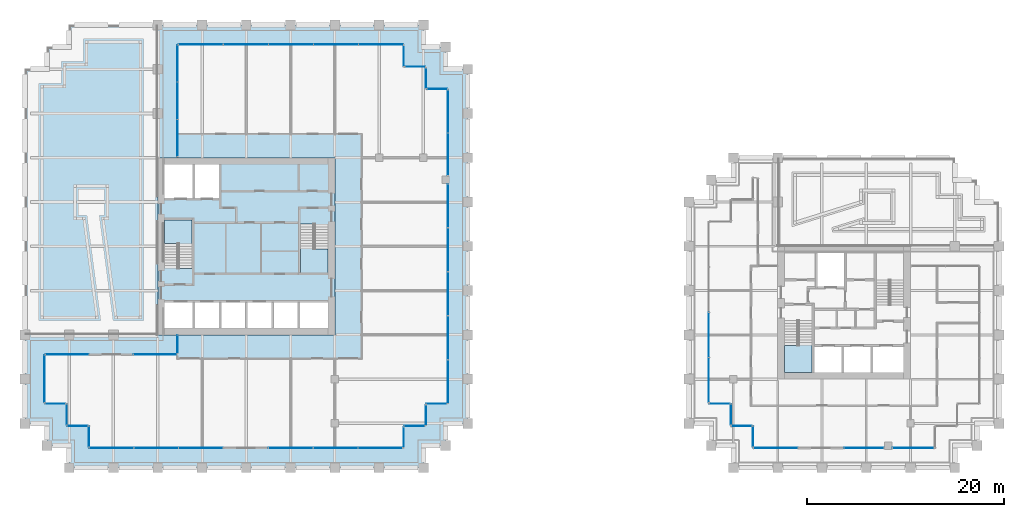
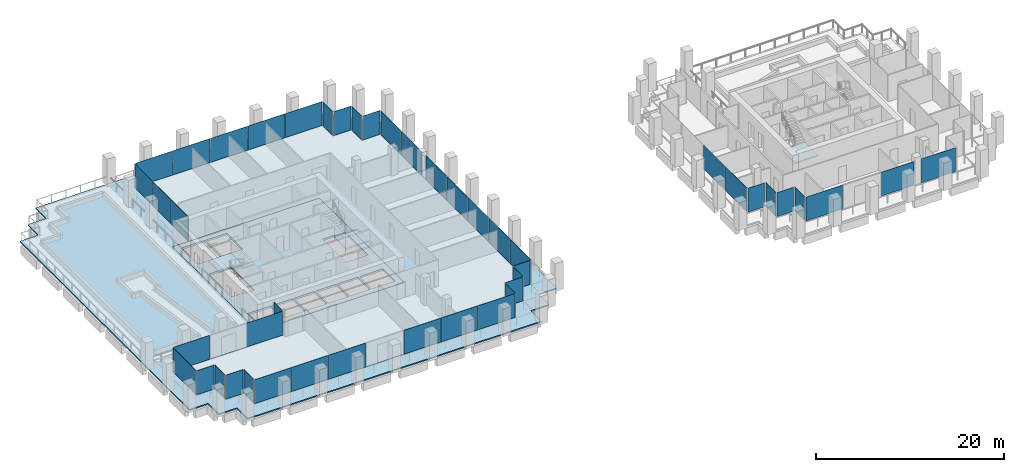
# One storey, part 43 of 52: 46 plates, 6 slabs, 33 elements without a shape of their own.
"""IFC4 building model written with IfcOpenShell, lengths in metres."""

from ifc_helpers import new_model, si_unit, direction, frame, origin, origin_2d, place, context, subcontext, project, spatial, polyline, rectangle, outline, extrude, material, layer, layer_set, type_object, element, aggregate, save


model = new_model("IFC4")

# Units and contexts
model_context = context("Model", 3, precision=1e-05, world=origin(), true_north=direction((0.0, 1.0)))
body_context = subcontext(model_context, "Body", "Model", "MODEL_VIEW")
ifc_project = project(units=[si_unit("LENGTHUNIT", "METRE"), si_unit("AREAUNIT", "SQUARE_METRE"), si_unit("VOLUMEUNIT", "CUBIC_METRE"), si_unit("PLANEANGLEUNIT", "RADIAN"), si_unit("MASSUNIT", "GRAM", prefix="KILO")], contexts=[model_context])

# Site, building, storey
site_placement = place(None, origin())
site = spatial("IfcSite", under=ifc_project, at=site_placement, CompositionType="ELEMENT")
building_placement = place(site_placement, origin())
building = spatial("IfcBuilding", under=site, at=building_placement, Name="Altepetl Exchange Towers", CompositionType="ELEMENT")
storey_placement = place(building_placement, frame((0.0, 0.0, 92.0)))
storey = spatial("IfcBuildingStorey", under=building, at=storey_placement, Name="L22", CompositionType="ELEMENT", Elevation=92.0)

# Slabs
ifc_material_1 = material(Name="Concrete C40/50", Category="concrete")
ifc_layer_1 = layer(ifc_material_1, 0.14990234375)
ifc_layer_set_1 = layer_set([ifc_layer_1], Name="Concrete C40/50")
slab_type_1 = type_object("IfcSlabType", Name="Composite floor slab 150", PredefinedType="FLOOR", material=ifc_layer_set_1)
slab_1_placement = place(storey_placement, frame((0.0, 0.0, -0.14990234375)))
element("IfcSlab", 1, at=slab_1_placement, inside=storey, type_object=slab_type_1, Name="slab:A:L22:strip0", PredefinedType="FLOOR", context=body_context, shape_type="SweptSolid", body=[
    extrude(outline(polyline([(42.5, 70.0), (42.5, 58.5), (58.5, 58.5), (58.5, 40.5), (42.5, 40.5), (42.5, 38.5), (29.0, 38.5), (29.0, 33.5), (31.25, 33.5), (31.25, 31.25), (33.5, 31.25), (33.5, 29.0), (65.5, 29.0), (65.5, 31.25), (67.75, 31.25), (67.75, 33.5), (70.0, 33.5), (70.0, 65.5), (67.75, 65.5), (67.75, 67.75), (65.5, 67.75), (65.5, 70.0), (42.5, 70.0)])), origin(), (0.0, 0.0, 1.0), 0.14990234375),
])
ifc_layer_2 = layer(ifc_material_1, 0.25)
ifc_layer_set_2 = layer_set([ifc_layer_2], Name="Concrete C40/50")
slab_type_2 = type_object("IfcSlabType", Name="Core floor slab 250", PredefinedType="FLOOR", material=ifc_layer_set_2)
slab_2_placement = place(storey_placement, frame((0.0, 0.0, -0.25)))
element("IfcSlab", 2, at=slab_2_placement, inside=storey, type_object=slab_type_2, Name="slab:A:L22:core0", PredefinedType="FLOOR", context=body_context, shape_type="SweptSolid", body=[
    extrude(outline(polyline([(40.5, 40.5), (58.5, 40.5), (58.5, 58.5), (40.5, 58.5), (40.5, 40.5)]), holes=[polyline([(41.199951171875, 43.800048828125), (44.06689453125, 43.800048828125), (44.06689453125, 41.199951171875), (41.199951171875, 41.199951171875), (41.199951171875, 43.800048828125)]), polyline([(44.26708984375, 43.800048828125), (46.73291015625, 43.800048828125), (46.73291015625, 41.199951171875), (44.26708984375, 41.199951171875), (44.26708984375, 43.800048828125)]), polyline([(46.93310546875, 43.800048828125), (49.39990234375, 43.800048828125), (49.39990234375, 41.199951171875), (46.93310546875, 41.199951171875), (46.93310546875, 43.800048828125)]), polyline([(52.06689453125, 43.800048828125), (52.06689453125, 41.199951171875), (49.60009765625, 41.199951171875), (49.60009765625, 43.800048828125), (52.06689453125, 43.800048828125)]), polyline([(54.73291015625, 43.800048828125), (54.73291015625, 41.199951171875), (52.26708984375, 41.199951171875), (52.26708984375, 43.800048828125), (54.73291015625, 43.800048828125)]), polyline([(54.93310546875, 43.800048828125), (57.800048828125, 43.800048828125), (57.800048828125, 41.199951171875), (54.93310546875, 41.199951171875), (54.93310546875, 43.800048828125)]), polyline([(55.0, 51.7490234375), (56.449951171875, 51.7490234375), (56.449951171875, 51.64990234375), (57.699951171875, 51.64990234375), (57.699951171875, 46.800048828125), (55.0, 46.800048828125), (55.0, 51.7490234375)]), polyline([(44.0, 47.2509765625), (42.550048828125, 47.2509765625), (42.550048828125, 47.35009765625), (41.300048828125, 47.35009765625), (41.300048828125, 52.199951171875), (44.0, 52.199951171875), (44.0, 47.2509765625)]), polyline([(44.06689453125, 57.800048828125), (44.06689453125, 54.39990234375), (41.199951171875, 54.39990234375), (41.199951171875, 57.800048828125), (44.06689453125, 57.800048828125)]), polyline([(46.73291015625, 57.800048828125), (46.73291015625, 54.39990234375), (44.26708984375, 54.39990234375), (44.26708984375, 57.800048828125), (46.73291015625, 57.800048828125)])]), origin(), (0.0, 0.0, 1.0), 0.25),
])

# Curtain wall, plate
ifc_material_2 = material(Name="Aluminium 6063-T6 glazing", Category="aluminium")
curtain_wall_type = type_object("IfcCurtainWallType", Name="Loggia glazing system", PredefinedType="NOTDEFINED", material=ifc_material_2)
curtain_wall_1_placement = place(storey_placement, origin())
curtain_wall_1 = element("IfcCurtainWall", 3, at=curtain_wall_1_placement, inside=storey, type_object=curtain_wall_type, Name="CW1 run", PredefinedType="NOTDEFINED")
ifc_material_3 = material(Name="Glass 6-16-6 low emissivity", Category="glass")
ifc_layer_3 = layer(ifc_material_3, 0.028076171875)
ifc_layer_set_3 = layer_set([ifc_layer_3], Name="Glass 6-16-6 low emissivity")
plate_type = type_object("IfcPlateType", Name="Glass panel 28 double glazed", PredefinedType="CURTAIN_PANEL", material=ifc_layer_set_3)
plate_1_placement = place(storey_placement, frame((42.5, 39.53759765625, 0.0), z_axis=(0.0, 0.0, 1.0), x_axis=(0.0, -1.0, 0.0)))
plate_1 = element("IfcPlate", 4, at=plate_1_placement, type_object=plate_type, Name="GP1 panel", PredefinedType="CURTAIN_PANEL", context=body_context, shape_type="SweptSolid", body=[
    extrude(rectangle(XDim=1.804931640625, YDim=0.028076171875, at=origin_2d()), origin(), (0.0, 0.0, 1.0), 3.10009765625),
])
aggregate(curtain_wall_1, [plate_1])

curtain_wall_2_placement = place(storey_placement, origin())
curtain_wall_2 = element("IfcCurtainWall", 5, at=curtain_wall_2_placement, inside=storey, type_object=curtain_wall_type, Name="CW1 run", PredefinedType="NOTDEFINED")
plate_2_placement = place(storey_placement, frame((40.262451171875, 38.5, 0.0), z_axis=(0.0, 0.0, 1.0), x_axis=(-1.0, 0.0, 0.0)))
plate_2 = element("IfcPlate", 6, at=plate_2_placement, type_object=plate_type, Name="GP1 panel", PredefinedType="CURTAIN_PANEL", context=body_context, shape_type="SweptSolid", body=[
    extrude(rectangle(XDim=4.35498046875, YDim=0.028076171875, at=origin_2d()), origin(), (0.0, 0.0, 1.0), 3.10009765625),
])
aggregate(curtain_wall_2, [plate_2])

curtain_wall_3_placement = place(storey_placement, origin())
curtain_wall_3 = element("IfcCurtainWall", 7, at=curtain_wall_3_placement, inside=storey, type_object=curtain_wall_type, Name="CW1 run", PredefinedType="NOTDEFINED")
plate_3_placement = place(storey_placement, frame((31.3125, 38.5, 0.0), z_axis=(0.0, 0.0, 1.0), x_axis=(-1.0, 0.0, 0.0)))
plate_3 = element("IfcPlate", 8, at=plate_3_placement, type_object=plate_type, Name="GP1 panel", PredefinedType="CURTAIN_PANEL", context=body_context, shape_type="SweptSolid", body=[
    extrude(rectangle(XDim=4.35498046875, YDim=0.028076171875, at=origin_2d()), origin(), (0.0, 0.0, 1.0), 3.10009765625),
])
aggregate(curtain_wall_3, [plate_3])

curtain_wall_4_placement = place(storey_placement, origin())
curtain_wall_4 = element("IfcCurtainWall", 9, at=curtain_wall_4_placement, inside=storey, type_object=curtain_wall_type, Name="CW1 run", PredefinedType="NOTDEFINED")
plate_4_placement = place(storey_placement, frame((29.0, 36.03759765625, 0.0), z_axis=(0.0, 0.0, 1.0), x_axis=(0.0, -1.0, 0.0)))
plate_4 = element("IfcPlate", 10, at=plate_4_placement, type_object=plate_type, Name="GP1 panel", PredefinedType="CURTAIN_PANEL", context=body_context, shape_type="SweptSolid", body=[
    extrude(rectangle(XDim=4.804931640625, YDim=0.028076171875, at=origin_2d()), origin(), (0.0, 0.0, 1.0), 3.10009765625),
])
aggregate(curtain_wall_4, [plate_4])

curtain_wall_5_placement = place(storey_placement, origin())
curtain_wall_5 = element("IfcCurtainWall", 11, at=curtain_wall_5_placement, inside=storey, type_object=curtain_wall_type, Name="CW1 run", PredefinedType="NOTDEFINED")
plate_5_placement = place(storey_placement, frame((30.08740234375, 33.5, 0.0)))
plate_5 = element("IfcPlate", 12, at=plate_5_placement, type_object=plate_type, Name="GP1 panel", PredefinedType="CURTAIN_PANEL", context=body_context, shape_type="SweptSolid", body=[
    extrude(rectangle(XDim=2.054931640625, YDim=0.028076171875, at=origin_2d()), origin(), (0.0, 0.0, 1.0), 3.10009765625),
])
aggregate(curtain_wall_5, [plate_5])

curtain_wall_6_placement = place(storey_placement, origin())
curtain_wall_6 = element("IfcCurtainWall", 13, at=curtain_wall_6_placement, inside=storey, type_object=curtain_wall_type, Name="CW1 run", PredefinedType="NOTDEFINED")
plate_6_placement = place(storey_placement, frame((31.25, 32.41259765625, 0.0), z_axis=(0.0, 0.0, 1.0), x_axis=(0.0, -1.0, 0.0)))
plate_6 = element("IfcPlate", 14, at=plate_6_placement, type_object=plate_type, Name="GP1 panel", PredefinedType="CURTAIN_PANEL", context=body_context, shape_type="SweptSolid", body=[
    extrude(rectangle(XDim=2.054931640625, YDim=0.028076171875, at=origin_2d()), origin(), (0.0, 0.0, 1.0), 3.10009765625),
])
aggregate(curtain_wall_6, [plate_6])

curtain_wall_7_placement = place(storey_placement, origin())
curtain_wall_7 = element("IfcCurtainWall", 15, at=curtain_wall_7_placement, inside=storey, type_object=curtain_wall_type, Name="CW1 run", PredefinedType="NOTDEFINED")
plate_7_placement = place(storey_placement, frame((32.33740234375, 31.25, 0.0)))
plate_7 = element("IfcPlate", 16, at=plate_7_placement, type_object=plate_type, Name="GP1 panel", PredefinedType="CURTAIN_PANEL", context=body_context, shape_type="SweptSolid", body=[
    extrude(rectangle(XDim=2.054931640625, YDim=0.028076171875, at=origin_2d()), origin(), (0.0, 0.0, 1.0), 3.10009765625),
])
aggregate(curtain_wall_7, [plate_7])

curtain_wall_8_placement = place(storey_placement, origin())
curtain_wall_8 = element("IfcCurtainWall", 17, at=curtain_wall_8_placement, inside=storey, type_object=curtain_wall_type, Name="CW1 run", PredefinedType="NOTDEFINED")
plate_8_placement = place(storey_placement, frame((33.5, 30.16259765625, 0.0), z_axis=(0.0, 0.0, 1.0), x_axis=(0.0, -1.0, 0.0)))
plate_8 = element("IfcPlate", 18, at=plate_8_placement, type_object=plate_type, Name="GP1 panel", PredefinedType="CURTAIN_PANEL", context=body_context, shape_type="SweptSolid", body=[
    extrude(rectangle(XDim=2.054931640625, YDim=0.028076171875, at=origin_2d()), origin(), (0.0, 0.0, 1.0), 3.10009765625),
])
aggregate(curtain_wall_8, [plate_8])

# Curtain wall, plates
curtain_wall_9_placement = place(storey_placement, origin())
curtain_wall_9 = element("IfcCurtainWall", 19, at=curtain_wall_9_placement, inside=storey, type_object=curtain_wall_type, Name="CW1 run", PredefinedType="NOTDEFINED")
plate_9_placement = place(storey_placement, frame((35.79541015625, 29.0, 0.0)))
plate_9 = element("IfcPlate", 20, at=plate_9_placement, type_object=plate_type, Name="GP1 panel", PredefinedType="CURTAIN_PANEL", context=body_context, shape_type="SweptSolid", body=[
    extrude(rectangle(XDim=4.470703125, YDim=0.028076171875, at=origin_2d()), origin(), (0.0, 0.0, 1.0), 3.10009765625),
])
plate_10_placement = place(storey_placement, frame((40.341064453125, 29.0, 0.0)))
plate_10 = element("IfcPlate", 21, at=plate_10_placement, type_object=plate_type, Name="GP1 panel", PredefinedType="CURTAIN_PANEL", context=body_context, shape_type="SweptSolid", body=[
    extrude(rectangle(XDim=4.500732421875, YDim=0.028076171875, at=origin_2d()), origin(), (0.0, 0.0, 1.0), 3.10009765625),
])
plate_11_placement = place(storey_placement, frame((44.88671875, 29.0, 0.0)))
plate_11 = element("IfcPlate", 22, at=plate_11_placement, type_object=plate_type, Name="GP1 panel", PredefinedType="CURTAIN_PANEL", context=body_context, shape_type="SweptSolid", body=[
    extrude(rectangle(XDim=4.470703125, YDim=0.028076171875, at=origin_2d()), origin(), (0.0, 0.0, 1.0), 3.10009765625),
])
aggregate(curtain_wall_9, [plate_9, plate_10, plate_11])

curtain_wall_10_placement = place(storey_placement, origin())
curtain_wall_10 = element("IfcCurtainWall", 23, at=curtain_wall_10_placement, inside=storey, type_object=curtain_wall_type, Name="CW1 run", PredefinedType="NOTDEFINED")
plate_12_placement = place(storey_placement, frame((54.038330078125, 29.0, 0.0)))
plate_12 = element("IfcPlate", 24, at=plate_12_placement, type_object=plate_type, Name="GP1 panel", PredefinedType="CURTAIN_PANEL", context=body_context, shape_type="SweptSolid", body=[
    extrude(rectangle(XDim=4.470703125, YDim=0.028076171875, at=origin_2d()), origin(), (0.0, 0.0, 1.0), 3.10009765625),
])
plate_13_placement = place(storey_placement, frame((58.583984375, 29.0, 0.0)))
plate_13 = element("IfcPlate", 25, at=plate_13_placement, type_object=plate_type, Name="GP1 panel", PredefinedType="CURTAIN_PANEL", context=body_context, shape_type="SweptSolid", body=[
    extrude(rectangle(XDim=4.500732421875, YDim=0.028076171875, at=origin_2d()), origin(), (0.0, 0.0, 1.0), 3.10009765625),
])
plate_14_placement = place(storey_placement, frame((63.129638671875, 29.0, 0.0)))
plate_14 = element("IfcPlate", 26, at=plate_14_placement, type_object=plate_type, Name="GP1 panel", PredefinedType="CURTAIN_PANEL", context=body_context, shape_type="SweptSolid", body=[
    extrude(rectangle(XDim=4.470703125, YDim=0.028076171875, at=origin_2d()), origin(), (0.0, 0.0, 1.0), 3.10009765625),
])
aggregate(curtain_wall_10, [plate_12, plate_13, plate_14])

# Curtain wall, plate
curtain_wall_11_placement = place(storey_placement, origin())
curtain_wall_11 = element("IfcCurtainWall", 27, at=curtain_wall_11_placement, inside=storey, type_object=curtain_wall_type, Name="CW1 run", PredefinedType="NOTDEFINED")
plate_15_placement = place(storey_placement, frame((65.5, 30.08740234375, 0.0), z_axis=(0.0, 0.0, 1.0), x_axis=(0.0, 1.0, 0.0)))
plate_15 = element("IfcPlate", 28, at=plate_15_placement, type_object=plate_type, Name="GP1 panel", PredefinedType="CURTAIN_PANEL", context=body_context, shape_type="SweptSolid", body=[
    extrude(rectangle(XDim=2.054931640625, YDim=0.028076171875, at=origin_2d()), origin(), (0.0, 0.0, 1.0), 3.10009765625),
])
aggregate(curtain_wall_11, [plate_15])

curtain_wall_12_placement = place(storey_placement, origin())
curtain_wall_12 = element("IfcCurtainWall", 29, at=curtain_wall_12_placement, inside=storey, type_object=curtain_wall_type, Name="CW1 run", PredefinedType="NOTDEFINED")
plate_16_placement = place(storey_placement, frame((66.58740234375, 31.25, 0.0)))
plate_16 = element("IfcPlate", 30, at=plate_16_placement, type_object=plate_type, Name="GP1 panel", PredefinedType="CURTAIN_PANEL", context=body_context, shape_type="SweptSolid", body=[
    extrude(rectangle(XDim=2.054931640625, YDim=0.028076171875, at=origin_2d()), origin(), (0.0, 0.0, 1.0), 3.10009765625),
])
aggregate(curtain_wall_12, [plate_16])

curtain_wall_13_placement = place(storey_placement, origin())
curtain_wall_13 = element("IfcCurtainWall", 31, at=curtain_wall_13_placement, inside=storey, type_object=curtain_wall_type, Name="CW1 run", PredefinedType="NOTDEFINED")
plate_17_placement = place(storey_placement, frame((67.75, 32.33740234375, 0.0), z_axis=(0.0, 0.0, 1.0), x_axis=(0.0, 1.0, 0.0)))
plate_17 = element("IfcPlate", 32, at=plate_17_placement, type_object=plate_type, Name="GP1 panel", PredefinedType="CURTAIN_PANEL", context=body_context, shape_type="SweptSolid", body=[
    extrude(rectangle(XDim=2.054931640625, YDim=0.028076171875, at=origin_2d()), origin(), (0.0, 0.0, 1.0), 3.10009765625),
])
aggregate(curtain_wall_13, [plate_17])

curtain_wall_14_placement = place(storey_placement, origin())
curtain_wall_14 = element("IfcCurtainWall", 33, at=curtain_wall_14_placement, inside=storey, type_object=curtain_wall_type, Name="CW1 run", PredefinedType="NOTDEFINED")
plate_18_placement = place(storey_placement, frame((68.83740234375, 33.5, 0.0)))
plate_18 = element("IfcPlate", 34, at=plate_18_placement, type_object=plate_type, Name="GP1 panel", PredefinedType="CURTAIN_PANEL", context=body_context, shape_type="SweptSolid", body=[
    extrude(rectangle(XDim=2.054931640625, YDim=0.028076171875, at=origin_2d()), origin(), (0.0, 0.0, 1.0), 3.10009765625),
])
aggregate(curtain_wall_14, [plate_18])

# Curtain wall, plates
curtain_wall_15_placement = place(storey_placement, origin())
curtain_wall_15 = element("IfcCurtainWall", 35, at=curtain_wall_15_placement, inside=storey, type_object=curtain_wall_type, Name="CW1 run", PredefinedType="NOTDEFINED")
plate_19_placement = place(storey_placement, frame((70.0, 35.75048828125, 0.0), z_axis=(0.0, 0.0, 1.0), x_axis=(0.0, 1.0, 0.0)))
plate_19 = element("IfcPlate", 36, at=plate_19_placement, type_object=plate_type, Name="GP1 panel", PredefinedType="CURTAIN_PANEL", context=body_context, shape_type="SweptSolid", body=[
    extrude(rectangle(XDim=4.381103515625, YDim=0.028076171875, at=origin_2d()), origin(), (0.0, 0.0, 1.0), 3.10009765625),
])
plate_20_placement = place(storey_placement, frame((70.0, 40.20654296875, 0.0), z_axis=(0.0, 0.0, 1.0), x_axis=(0.0, 1.0, 0.0)))
plate_20 = element("IfcPlate", 37, at=plate_20_placement, type_object=plate_type, Name="GP1 panel", PredefinedType="CURTAIN_PANEL", context=body_context, shape_type="SweptSolid", body=[
    extrude(rectangle(XDim=4.410888671875, YDim=0.028076171875, at=origin_2d()), origin(), (0.0, 0.0, 1.0), 3.10009765625),
])
plate_21_placement = place(storey_placement, frame((70.0, 44.677490234375, 0.0), z_axis=(0.0, 0.0, 1.0), x_axis=(0.0, 1.0, 0.0)))
plate_21 = element("IfcPlate", 38, at=plate_21_placement, type_object=plate_type, Name="GP1 panel", PredefinedType="CURTAIN_PANEL", context=body_context, shape_type="SweptSolid", body=[
    extrude(rectangle(XDim=4.410888671875, YDim=0.028076171875, at=origin_2d()), origin(), (0.0, 0.0, 1.0), 3.10009765625),
])
plate_22_placement = place(storey_placement, frame((70.0, 49.1484375, 0.0), z_axis=(0.0, 0.0, 1.0), x_axis=(0.0, 1.0, 0.0)))
plate_22 = element("IfcPlate", 39, at=plate_22_placement, type_object=plate_type, Name="GP1 panel", PredefinedType="CURTAIN_PANEL", context=body_context, shape_type="SweptSolid", body=[
    extrude(rectangle(XDim=4.410888671875, YDim=0.028076171875, at=origin_2d()), origin(), (0.0, 0.0, 1.0), 3.10009765625),
])
plate_23_placement = place(storey_placement, frame((70.0, 53.6044921875, 0.0), z_axis=(0.0, 0.0, 1.0), x_axis=(0.0, 1.0, 0.0)))
plate_23 = element("IfcPlate", 40, at=plate_23_placement, type_object=plate_type, Name="GP1 panel", PredefinedType="CURTAIN_PANEL", context=body_context, shape_type="SweptSolid", body=[
    extrude(rectangle(XDim=4.381103515625, YDim=0.028076171875, at=origin_2d()), origin(), (0.0, 0.0, 1.0), 3.10009765625),
])
aggregate(curtain_wall_15, [plate_19, plate_20, plate_21, plate_22, plate_23])

curtain_wall_16_placement = place(storey_placement, origin())
curtain_wall_16 = element("IfcCurtainWall", 41, at=curtain_wall_16_placement, inside=storey, type_object=curtain_wall_type, Name="CW1 run", PredefinedType="NOTDEFINED")
plate_24_placement = place(storey_placement, frame((70.0, 58.85498046875, 0.0), z_axis=(0.0, 0.0, 1.0), x_axis=(0.0, 1.0, 0.0)))
plate_24 = element("IfcPlate", 42, at=plate_24_placement, type_object=plate_type, Name="GP1 panel", PredefinedType="CURTAIN_PANEL", context=body_context, shape_type="SweptSolid", body=[
    extrude(rectangle(XDim=4.300048828125, YDim=0.028076171875, at=origin_2d()), origin(), (0.0, 0.0, 1.0), 3.10009765625),
])
plate_25_placement = place(storey_placement, frame((70.0, 63.215087890625, 0.0), z_axis=(0.0, 0.0, 1.0), x_axis=(0.0, 1.0, 0.0)))
plate_25 = element("IfcPlate", 43, at=plate_25_placement, type_object=plate_type, Name="GP1 panel", PredefinedType="CURTAIN_PANEL", context=body_context, shape_type="SweptSolid", body=[
    extrude(rectangle(XDim=4.300048828125, YDim=0.028076171875, at=origin_2d()), origin(), (0.0, 0.0, 1.0), 3.10009765625),
])
aggregate(curtain_wall_16, [plate_24, plate_25])

# Curtain wall, plate
curtain_wall_17_placement = place(storey_placement, origin())
curtain_wall_17 = element("IfcCurtainWall", 44, at=curtain_wall_17_placement, inside=storey, type_object=curtain_wall_type, Name="CW1 run", PredefinedType="NOTDEFINED")
plate_26_placement = place(storey_placement, frame((68.91259765625, 65.5, 0.0), z_axis=(0.0, 0.0, 1.0), x_axis=(-1.0, 0.0, 0.0)))
plate_26 = element("IfcPlate", 45, at=plate_26_placement, type_object=plate_type, Name="GP1 panel", PredefinedType="CURTAIN_PANEL", context=body_context, shape_type="SweptSolid", body=[
    extrude(rectangle(XDim=2.054931640625, YDim=0.028076171875, at=origin_2d()), origin(), (0.0, 0.0, 1.0), 3.10009765625),
])
aggregate(curtain_wall_17, [plate_26])

curtain_wall_18_placement = place(storey_placement, origin())
curtain_wall_18 = element("IfcCurtainWall", 46, at=curtain_wall_18_placement, inside=storey, type_object=curtain_wall_type, Name="CW1 run", PredefinedType="NOTDEFINED")
plate_27_placement = place(storey_placement, frame((67.75, 66.58740234375, 0.0), z_axis=(0.0, 0.0, 1.0), x_axis=(0.0, 1.0, 0.0)))
plate_27 = element("IfcPlate", 47, at=plate_27_placement, type_object=plate_type, Name="GP1 panel", PredefinedType="CURTAIN_PANEL", context=body_context, shape_type="SweptSolid", body=[
    extrude(rectangle(XDim=2.054931640625, YDim=0.028076171875, at=origin_2d()), origin(), (0.0, 0.0, 1.0), 3.10009765625),
])
aggregate(curtain_wall_18, [plate_27])

curtain_wall_19_placement = place(storey_placement, origin())
curtain_wall_19 = element("IfcCurtainWall", 48, at=curtain_wall_19_placement, inside=storey, type_object=curtain_wall_type, Name="CW1 run", PredefinedType="NOTDEFINED")
plate_28_placement = place(storey_placement, frame((66.66259765625, 67.75, 0.0), z_axis=(0.0, 0.0, 1.0), x_axis=(-1.0, 0.0, 0.0)))
plate_28 = element("IfcPlate", 49, at=plate_28_placement, type_object=plate_type, Name="GP1 panel", PredefinedType="CURTAIN_PANEL", context=body_context, shape_type="SweptSolid", body=[
    extrude(rectangle(XDim=2.054931640625, YDim=0.028076171875, at=origin_2d()), origin(), (0.0, 0.0, 1.0), 3.10009765625),
])
aggregate(curtain_wall_19, [plate_28])

curtain_wall_20_placement = place(storey_placement, origin())
curtain_wall_20 = element("IfcCurtainWall", 50, at=curtain_wall_20_placement, inside=storey, type_object=curtain_wall_type, Name="CW1 run", PredefinedType="NOTDEFINED")
plate_29_placement = place(storey_placement, frame((65.5, 68.83740234375, 0.0), z_axis=(0.0, 0.0, 1.0), x_axis=(0.0, 1.0, 0.0)))
plate_29 = element("IfcPlate", 51, at=plate_29_placement, type_object=plate_type, Name="GP1 panel", PredefinedType="CURTAIN_PANEL", context=body_context, shape_type="SweptSolid", body=[
    extrude(rectangle(XDim=2.054931640625, YDim=0.028076171875, at=origin_2d()), origin(), (0.0, 0.0, 1.0), 3.10009765625),
])
aggregate(curtain_wall_20, [plate_29])

# Curtain wall, plates
curtain_wall_21_placement = place(storey_placement, origin())
curtain_wall_21 = element("IfcCurtainWall", 52, at=curtain_wall_21_placement, inside=storey, type_object=curtain_wall_type, Name="CW1 run", PredefinedType="NOTDEFINED")
plate_30_placement = place(storey_placement, frame((63.1923828125, 70.0, 0.0), z_axis=(0.0, 0.0, 1.0), x_axis=(-1.0, 0.0, 0.0)))
plate_30 = element("IfcPlate", 53, at=plate_30_placement, type_object=plate_type, Name="GP1 panel", PredefinedType="CURTAIN_PANEL", context=body_context, shape_type="SweptSolid", body=[
    extrude(rectangle(XDim=4.4951171875, YDim=0.028076171875, at=origin_2d()), origin(), (0.0, 0.0, 1.0), 3.10009765625),
])
plate_31_placement = place(storey_placement, frame((58.62255859375, 70.0, 0.0), z_axis=(0.0, 0.0, 1.0), x_axis=(-1.0, 0.0, 0.0)))
plate_31 = element("IfcPlate", 54, at=plate_31_placement, type_object=plate_type, Name="GP1 panel", PredefinedType="CURTAIN_PANEL", context=body_context, shape_type="SweptSolid", body=[
    extrude(rectangle(XDim=4.52490234375, YDim=0.028076171875, at=origin_2d()), origin(), (0.0, 0.0, 1.0), 3.10009765625),
])
plate_32_placement = place(storey_placement, frame((54.03759765625, 70.0, 0.0), z_axis=(0.0, 0.0, 1.0), x_axis=(-1.0, 0.0, 0.0)))
plate_32 = element("IfcPlate", 55, at=plate_32_placement, type_object=plate_type, Name="GP1 panel", PredefinedType="CURTAIN_PANEL", context=body_context, shape_type="SweptSolid", body=[
    extrude(rectangle(XDim=4.52490234375, YDim=0.028076171875, at=origin_2d()), origin(), (0.0, 0.0, 1.0), 3.10009765625),
])
plate_33_placement = place(storey_placement, frame((49.452392578125, 70.0, 0.0), z_axis=(0.0, 0.0, 1.0), x_axis=(-1.0, 0.0, 0.0)))
plate_33 = element("IfcPlate", 56, at=plate_33_placement, type_object=plate_type, Name="GP1 panel", PredefinedType="CURTAIN_PANEL", context=body_context, shape_type="SweptSolid", body=[
    extrude(rectangle(XDim=4.52490234375, YDim=0.028076171875, at=origin_2d()), origin(), (0.0, 0.0, 1.0), 3.10009765625),
])
plate_34_placement = place(storey_placement, frame((44.882568359375, 70.0, 0.0), z_axis=(0.0, 0.0, 1.0), x_axis=(-1.0, 0.0, 0.0)))
plate_34 = element("IfcPlate", 57, at=plate_34_placement, type_object=plate_type, Name="GP1 panel", PredefinedType="CURTAIN_PANEL", context=body_context, shape_type="SweptSolid", body=[
    extrude(rectangle(XDim=4.4951171875, YDim=0.028076171875, at=origin_2d()), origin(), (0.0, 0.0, 1.0), 3.10009765625),
])
aggregate(curtain_wall_21, [plate_30, plate_31, plate_32, plate_33, plate_34])

curtain_wall_22_placement = place(storey_placement, origin())
curtain_wall_22 = element("IfcCurtainWall", 58, at=curtain_wall_22_placement, inside=storey, type_object=curtain_wall_type, Name="CW1 run", PredefinedType="NOTDEFINED")
plate_35_placement = place(storey_placement, frame((42.5, 68.080810546875, 0.0), z_axis=(0.0, 0.0, 1.0), x_axis=(0.0, -1.0, 0.0)))
plate_35 = element("IfcPlate", 59, at=plate_35_placement, type_object=plate_type, Name="GP1 panel", PredefinedType="CURTAIN_PANEL", context=body_context, shape_type="SweptSolid", body=[
    extrude(rectangle(XDim=3.71826171875, YDim=0.028076171875, at=origin_2d()), origin(), (0.0, 0.0, 1.0), 3.10009765625),
])
plate_36_placement = place(storey_placement, frame((42.5, 64.28759765625, 0.0), z_axis=(0.0, 0.0, 1.0), x_axis=(0.0, -1.0, 0.0)))
plate_36 = element("IfcPlate", 60, at=plate_36_placement, type_object=plate_type, Name="GP1 panel", PredefinedType="CURTAIN_PANEL", context=body_context, shape_type="SweptSolid", body=[
    extrude(rectangle(XDim=3.748291015625, YDim=0.028076171875, at=origin_2d()), origin(), (0.0, 0.0, 1.0), 3.10009765625),
])
plate_37_placement = place(storey_placement, frame((42.5, 60.494140625, 0.0), z_axis=(0.0, 0.0, 1.0), x_axis=(0.0, -1.0, 0.0)))
plate_37 = element("IfcPlate", 61, at=plate_37_placement, type_object=plate_type, Name="GP1 panel", PredefinedType="CURTAIN_PANEL", context=body_context, shape_type="SweptSolid", body=[
    extrude(rectangle(XDim=3.71826171875, YDim=0.028076171875, at=origin_2d()), origin(), (0.0, 0.0, 1.0), 3.10009765625),
])
aggregate(curtain_wall_22, [plate_35, plate_36, plate_37])

curtain_wall_23_placement = place(storey_placement, origin())
curtain_wall_23 = element("IfcCurtainWall", 62, at=curtain_wall_23_placement, inside=storey, type_object=curtain_wall_type, Name="CW1 run", PredefinedType="NOTDEFINED")
plate_38_placement = place(storey_placement, frame((96.5, 40.484375, 0.0), z_axis=(0.0, 0.0, 1.0), x_axis=(0.0, -1.0, 0.0)))
plate_38 = element("IfcPlate", 63, at=plate_38_placement, type_object=plate_type, Name="GP1 panel", PredefinedType="CURTAIN_PANEL", context=body_context, shape_type="SweptSolid", body=[
    extrude(rectangle(XDim=4.546142578125, YDim=0.028076171875, at=origin_2d()), origin(), (0.0, 0.0, 1.0), 3.10009765625),
])
plate_39_placement = place(storey_placement, frame((96.5, 35.89306640625, 0.0), z_axis=(0.0, 0.0, 1.0), x_axis=(0.0, -1.0, 0.0)))
plate_39 = element("IfcPlate", 64, at=plate_39_placement, type_object=plate_type, Name="GP1 panel", PredefinedType="CURTAIN_PANEL", context=body_context, shape_type="SweptSolid", body=[
    extrude(rectangle(XDim=4.516357421875, YDim=0.028076171875, at=origin_2d()), origin(), (0.0, 0.0, 1.0), 3.10009765625),
])
aggregate(curtain_wall_23, [plate_38, plate_39])

# Curtain wall, plate
curtain_wall_24_placement = place(storey_placement, origin())
curtain_wall_24 = element("IfcCurtainWall", 65, at=curtain_wall_24_placement, inside=storey, type_object=curtain_wall_type, Name="CW1 run", PredefinedType="NOTDEFINED")
plate_40_placement = place(storey_placement, frame((97.58740234375, 33.5, 0.0)))
plate_40 = element("IfcPlate", 66, at=plate_40_placement, type_object=plate_type, Name="GP1 panel", PredefinedType="CURTAIN_PANEL", context=body_context, shape_type="SweptSolid", body=[
    extrude(rectangle(XDim=2.054931640625, YDim=0.028076171875, at=origin_2d()), origin(), (0.0, 0.0, 1.0), 3.10009765625),
])
aggregate(curtain_wall_24, [plate_40])

curtain_wall_25_placement = place(storey_placement, origin())
curtain_wall_25 = element("IfcCurtainWall", 67, at=curtain_wall_25_placement, inside=storey, type_object=curtain_wall_type, Name="CW1 run", PredefinedType="NOTDEFINED")
plate_41_placement = place(storey_placement, frame((98.75, 32.41259765625, 0.0), z_axis=(0.0, 0.0, 1.0), x_axis=(0.0, -1.0, 0.0)))
plate_41 = element("IfcPlate", 68, at=plate_41_placement, type_object=plate_type, Name="GP1 panel", PredefinedType="CURTAIN_PANEL", context=body_context, shape_type="SweptSolid", body=[
    extrude(rectangle(XDim=2.054931640625, YDim=0.028076171875, at=origin_2d()), origin(), (0.0, 0.0, 1.0), 3.10009765625),
])
aggregate(curtain_wall_25, [plate_41])

curtain_wall_26_placement = place(storey_placement, origin())
curtain_wall_26 = element("IfcCurtainWall", 69, at=curtain_wall_26_placement, inside=storey, type_object=curtain_wall_type, Name="CW1 run", PredefinedType="NOTDEFINED")
plate_42_placement = place(storey_placement, frame((99.83740234375, 31.25, 0.0)))
plate_42 = element("IfcPlate", 70, at=plate_42_placement, type_object=plate_type, Name="GP1 panel", PredefinedType="CURTAIN_PANEL", context=body_context, shape_type="SweptSolid", body=[
    extrude(rectangle(XDim=2.054931640625, YDim=0.028076171875, at=origin_2d()), origin(), (0.0, 0.0, 1.0), 3.10009765625),
])
aggregate(curtain_wall_26, [plate_42])

curtain_wall_27_placement = place(storey_placement, origin())
curtain_wall_27 = element("IfcCurtainWall", 71, at=curtain_wall_27_placement, inside=storey, type_object=curtain_wall_type, Name="CW1 run", PredefinedType="NOTDEFINED")
plate_43_placement = place(storey_placement, frame((101.0, 30.16259765625, 0.0), z_axis=(0.0, 0.0, 1.0), x_axis=(0.0, -1.0, 0.0)))
plate_43 = element("IfcPlate", 72, at=plate_43_placement, type_object=plate_type, Name="GP1 panel", PredefinedType="CURTAIN_PANEL", context=body_context, shape_type="SweptSolid", body=[
    extrude(rectangle(XDim=2.054931640625, YDim=0.028076171875, at=origin_2d()), origin(), (0.0, 0.0, 1.0), 3.10009765625),
])
aggregate(curtain_wall_27, [plate_43])

curtain_wall_28_placement = place(storey_placement, origin())
curtain_wall_28 = element("IfcCurtainWall", 73, at=curtain_wall_28_placement, inside=storey, type_object=curtain_wall_type, Name="CW1 run", PredefinedType="NOTDEFINED")
plate_44_placement = place(storey_placement, frame((103.30322265625, 29.0, 0.0)))
plate_44 = element("IfcPlate", 74, at=plate_44_placement, type_object=plate_type, Name="GP1 panel", PredefinedType="CURTAIN_PANEL", context=body_context, shape_type="SweptSolid", body=[
    extrude(rectangle(XDim=4.486328125, YDim=0.028076171875, at=origin_2d()), origin(), (0.0, 0.0, 1.0), 3.10009765625),
])
aggregate(curtain_wall_28, [plate_44])

curtain_wall_29_placement = place(storey_placement, origin())
curtain_wall_29 = element("IfcCurtainWall", 75, at=curtain_wall_29_placement, inside=storey, type_object=curtain_wall_type, Name="CW1 run", PredefinedType="NOTDEFINED")
plate_45_placement = place(storey_placement, frame((112.28369140625, 29.0, 0.0)))
plate_45 = element("IfcPlate", 76, at=plate_45_placement, type_object=plate_type, Name="GP1 panel", PredefinedType="CURTAIN_PANEL", context=body_context, shape_type="SweptSolid", body=[
    extrude(rectangle(XDim=4.0224609375, YDim=0.028076171875, at=origin_2d()), origin(), (0.0, 0.0, 1.0), 3.10009765625),
])
aggregate(curtain_wall_29, [plate_45])

curtain_wall_30_placement = place(storey_placement, origin())
curtain_wall_30 = element("IfcCurtainWall", 77, at=curtain_wall_30_placement, inside=storey, type_object=curtain_wall_type, Name="CW1 run", PredefinedType="NOTDEFINED")
plate_46_placement = place(storey_placement, frame((117.284912109375, 29.0, 0.0)))
plate_46 = element("IfcPlate", 78, at=plate_46_placement, type_object=plate_type, Name="GP1 panel", PredefinedType="CURTAIN_PANEL", context=body_context, shape_type="SweptSolid", body=[
    extrude(rectangle(XDim=4.159912109375, YDim=0.028076171875, at=origin_2d()), origin(), (0.0, 0.0, 1.0), 3.10009765625),
])
aggregate(curtain_wall_30, [plate_46])

# Slab
ifc_layer_4 = layer(ifc_material_1, 0.14990234375)
ifc_layer_set_4 = layer_set([ifc_layer_4], Name="Concrete C40/50")
slab_type_3 = type_object("IfcSlabType", Name="Green roof slab 150", PredefinedType="ROOF", material=ifc_layer_set_4)
slab_3_placement = place(storey_placement, frame((0.0, 0.0, -0.14990234375)))
element("IfcSlab", 79, at=slab_3_placement, inside=storey, type_object=slab_type_3, Name="slab:A:L22:terrace0", PredefinedType="ROOF", context=body_context, shape_type="SweptSolid", body=[
    extrude(outline(polyline([(29.25, 69.75), (29.25, 67.5), (27.0, 67.5), (27.0, 40.5), (27.0, 31.5), (29.25, 31.5), (29.25, 29.25), (31.5, 29.25), (31.5, 27.0), (58.5, 27.0), (67.5, 27.0), (67.5, 29.25), (69.75, 29.25), (69.75, 31.5), (72.0, 31.5), (72.0, 58.5), (72.0, 67.5), (69.75, 67.5), (69.75, 69.75), (67.5, 69.75), (67.5, 72.0), (40.5, 72.0), (31.5, 72.0), (31.5, 69.75), (29.25, 69.75)]), holes=[polyline([(29.0, 38.5), (42.5, 38.5), (42.5, 40.5), (40.5, 40.5), (40.5, 58.5), (42.5, 58.5), (42.5, 70.0), (65.5, 70.0), (65.5, 67.75), (67.75, 67.75), (67.75, 65.5), (70.0, 65.5), (70.0, 33.5), (67.75, 33.5), (67.75, 31.25), (65.5, 31.25), (65.5, 29.0), (33.5, 29.0), (33.5, 31.25), (31.25, 31.25), (31.25, 33.5), (29.0, 33.5), (29.0, 38.5)])]), origin(), (0.0, 0.0, 1.0), 0.14990234375),
])

# Stair, slab
stair_type = type_object("IfcStairType", Name="Exit stair 1350 flights dogleg", PredefinedType="HALF_TURN_STAIR", material=ifc_material_1)
stair_1_placement = place(storey_placement, origin())
stair_1 = element("IfcStair", 80, at=stair_1_placement, inside=storey, type_object=stair_type, Name="Exit stair 1", PredefinedType="HALF_TURN_STAIR")
ifc_layer_5 = layer(ifc_material_1, 0.199951171875)
ifc_layer_set_5 = layer_set([ifc_layer_5], Name="Concrete C40/50")
slab_type_4 = type_object("IfcSlabType", Name="Stair landing 200 reinforced concrete", PredefinedType="LANDING", material=ifc_layer_set_5)
slab_4_placement = place(storey_placement, frame((0.0, 0.0, 1.60009765625)))
slab_4 = element("IfcSlab", 81, at=slab_4_placement, type_object=slab_type_4, Name="ST-A1d landing 1", PredefinedType="LANDING", context=body_context, shape_type="SweptSolid", body=[
    extrude(outline(polyline([(44.0, 49.669921875), (42.64990234375, 49.669921875), (42.64990234375, 49.77001953125), (42.550048828125, 49.77001953125), (42.550048828125, 49.769287109375), (41.199951171875, 49.769287109375), (41.199951171875, 49.77001953125), (41.199951171875, 52.199951171875), (44.0, 52.199951171875), (44.0, 49.77001953125), (44.0, 49.669921875)])), origin(), (0.0, 0.0, 1.0), 0.199951171875),
])
aggregate(stair_1, [slab_4])

stair_2_placement = place(storey_placement, origin())
stair_2 = element("IfcStair", 82, at=stair_2_placement, inside=storey, type_object=stair_type, Name="Exit stair 2", PredefinedType="HALF_TURN_STAIR")
slab_5_placement = place(storey_placement, frame((0.0, 0.0, 1.60009765625)))
slab_5 = element("IfcSlab", 83, at=slab_5_placement, type_object=slab_type_4, Name="ST-A2d landing 1", PredefinedType="LANDING", context=body_context, shape_type="SweptSolid", body=[
    extrude(outline(polyline([(57.800048828125, 46.800048828125), (55.0, 46.800048828125), (55.0, 49.22998046875), (55.0, 49.330078125), (56.35009765625, 49.330078125), (56.35009765625, 49.22998046875), (56.449951171875, 49.22998046875), (56.449951171875, 49.230712890625), (57.800048828125, 49.230712890625), (57.800048828125, 49.22998046875), (57.800048828125, 46.800048828125)])), origin(), (0.0, 0.0, 1.0), 0.199951171875),
])
aggregate(stair_2, [slab_5])

stair_3_placement = place(storey_placement, origin())
stair_3 = element("IfcStair", 84, at=stair_3_placement, inside=storey, type_object=stair_type, Name="Exit stair 1", PredefinedType="HALF_TURN_STAIR")
slab_6_placement = place(storey_placement, frame((0.0, 0.0, 1.60009765625)))
slab_6 = element("IfcSlab", 85, at=slab_6_placement, type_object=slab_type_4, Name="ST-B1d landing 1", PredefinedType="LANDING", context=body_context, shape_type="SweptSolid", body=[
    extrude(outline(polyline([(107.0, 36.699951171875), (104.199951171875, 36.699951171875), (104.199951171875, 39.429931640625), (104.199951171875, 39.4306640625), (105.550048828125, 39.4306640625), (105.550048828125, 39.429931640625), (105.64990234375, 39.429931640625), (105.64990234375, 39.530029296875), (107.0, 39.530029296875), (107.0, 39.429931640625), (107.0, 36.699951171875)])), origin(), (0.0, 0.0, 1.0), 0.199951171875),
])
aggregate(stair_3, [slab_6])

save(model, "model.ifc")
